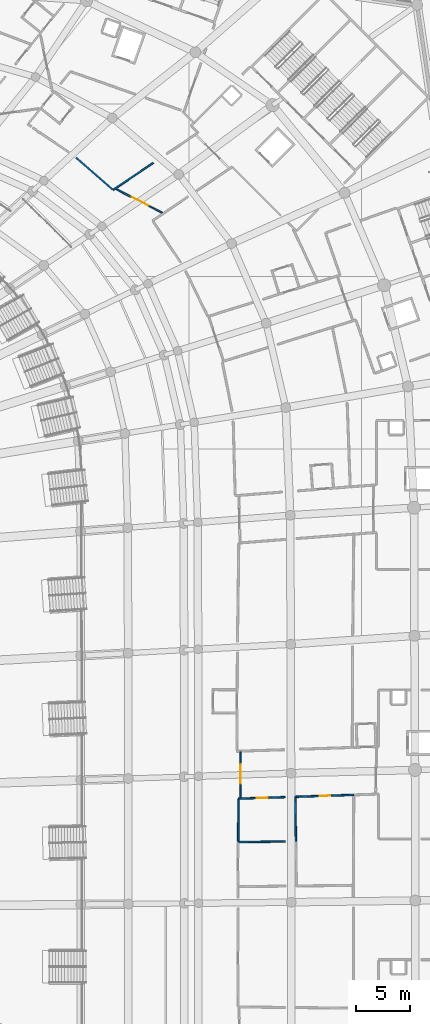
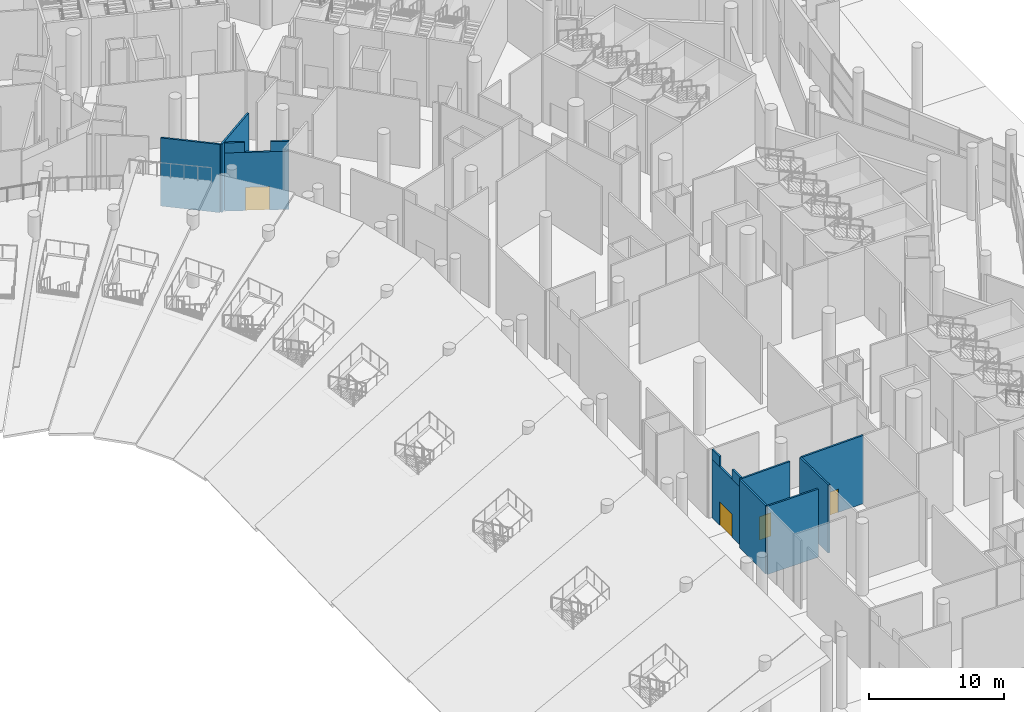
# One storey, part 144 of 255: 13 walls, 4 doors, 4 openings.
"""IFC4 building model written with IfcOpenShell, lengths in metres."""

import ifcopenshell
import ifcopenshell.guid

model = None  # the IFC model being written
_history = None  # IfcOwnerHistory: only IFC2X3 demands one
_inside = {}  # id of a spatial element -> (the spatial element, [elements in it])
_under = {}  # id of a project, library or spatial element -> (it, [spatial elements below it])
_declared = {}  # id of a project -> (the project, [libraries it declares])
_typed = {}  # id of a type object -> (the type object, [elements of that type])
_made_of = {}  # id of a material, layer set ... -> (it, [elements and type objects made of it])


def new_model(schema):
    """Start an empty IFC model of exactly this schema.

    Asked for "IFC4X3", IfcOpenShell would pick the latest addendum, in which some entities
    have other attributes; the version numbers below select the first issue.
    IFC2X3 requires an IfcOwnerHistory on every rooted entity: one is made here for all.
    """
    global model, _history
    if schema == "IFC4X3":
        model = ifcopenshell.file(schema_version=(4, 3, 0, 0))
    else:
        model = ifcopenshell.file(schema=schema)
    _inside.clear()
    _under.clear()
    _declared.clear()
    _typed.clear()
    _made_of.clear()
    _history = None
    if model.schema == "IFC2X3":
        org = make("IfcOrganization", Name="unknown")
        user = make(
            "IfcPersonAndOrganization",
            ThePerson=make("IfcPerson", FamilyName="unknown"),
            TheOrganization=org,
        )
        app = make(
            "IfcApplication",
            ApplicationDeveloper=org,
            Version="unknown",
            ApplicationFullName="unknown",
            ApplicationIdentifier="unknown",
        )
        _history = make(
            "IfcOwnerHistory",
            OwningUser=user,
            OwningApplication=app,
            ChangeAction="ADDED",
            CreationDate=0,
        )
    return model


def make(cls, **values):
    """One entity of the class cls with the attributes given. An attribute that is None is left unset."""
    return model.create_entity(
        cls, **{name: value for name, value in values.items() if value is not None}
    )


def rooted(cls, **values):
    """An entity with a GlobalId (a new one), such as an element, a storey or a relation."""
    return make(cls, GlobalId=ifcopenshell.guid.new(), OwnerHistory=_history, **values)


def si_unit(unit_type, name, prefix=None):
    """IfcSIUnit, for example si_unit("LENGTHUNIT", "METRE", prefix="MILLI")."""
    return make("IfcSIUnit", UnitType=unit_type, Prefix=prefix, Name=name)


def assignment(units):
    """IfcUnitAssignment: the units of a project."""
    return None if units is None else make("IfcUnitAssignment", Units=units)


def point(xyz):
    """IfcCartesianPoint."""
    return None if xyz is None else make("IfcCartesianPoint", Coordinates=xyz)


def direction(xyz):
    """IfcDirection."""
    return None if xyz is None else make("IfcDirection", DirectionRatios=xyz)


def frame(location, z_axis=None, x_axis=None):
    """IfcAxis2Placement3D, a coordinate frame: its origin and axes. An axis left out is left unset."""
    return make(
        "IfcAxis2Placement3D",
        Location=point(location),
        Axis=direction(z_axis),
        RefDirection=direction(x_axis),
    )


def frame_2d(location, x_axis=None):
    """IfcAxis2Placement2D, a coordinate frame in the plane: its origin and x axis."""
    return make(
        "IfcAxis2Placement2D", Location=point(location), RefDirection=direction(x_axis)
    )


def origin():
    """The frame at (0, 0, 0) with its axes left unset."""
    return frame((0.0, 0.0, 0.0))


def place(relative_to, where):
    """IfcLocalPlacement: puts the frame where relative to a parent placement (None: the world)."""
    return make(
        "IfcLocalPlacement", PlacementRelTo=relative_to, RelativePlacement=where
    )


def context(
    kind, dimensions, precision=None, world=None, true_north=None, identifier=None
):
    """IfcGeometricRepresentationContext, for example the 3D "Model" context."""
    return make(
        "IfcGeometricRepresentationContext",
        ContextIdentifier=identifier,
        ContextType=kind,
        CoordinateSpaceDimension=dimensions,
        Precision=precision,
        WorldCoordinateSystem=world,
        TrueNorth=true_north,
    )


def subcontext(parent, identifier, kind, view, scale=None):
    """IfcGeometricRepresentationSubContext, for example "Body" below "Model"."""
    return make(
        "IfcGeometricRepresentationSubContext",
        ContextIdentifier=identifier,
        ContextType=kind,
        ParentContext=parent,
        TargetScale=scale,
        TargetView=view,
    )


def project(units=None, contexts=None):
    """IfcProject with its units and contexts."""
    return rooted(
        "IfcProject",
        Name="project",
        RepresentationContexts=contexts,
        UnitsInContext=assignment(units),
    )


def spatial(cls, under=None, at=None, **own):
    """A site, building, storey or space (cls), placed at a placement, below another one or the project."""
    s = rooted(cls, ObjectPlacement=at, **own)
    if under is not None:
        _under.setdefault(under.id(), (under, []))[1].append(s)
    return s


def profile(cls, at=None, kind="AREA", **sizes):
    """A parametric profile (cls). Its sizes go by their IFC names, for example OverallWidth=200.0."""
    return make(cls, ProfileType=kind, Position=at, **sizes)


def rectangle(**sizes):
    """IfcRectangleProfileDef."""
    return profile("IfcRectangleProfileDef", **sizes)


def extrude(swept, where, along, depth):
    """IfcExtrudedAreaSolid: the profile swept, set in the frame where, extruded along a direction by depth."""
    return make(
        "IfcExtrudedAreaSolid",
        SweptArea=swept,
        Position=where,
        ExtrudedDirection=direction(along),
        Depth=depth,
    )


def shape(context_of_items, identifier, shape_type, items):
    """IfcShapeRepresentation: the items that make up one representation, for example the "Body"."""
    return make(
        "IfcShapeRepresentation",
        ContextOfItems=context_of_items,
        RepresentationIdentifier=identifier,
        RepresentationType=shape_type,
        Items=items,
    )


def material(Name=None, Category=None):
    """IfcMaterial."""
    return make("IfcMaterial", Name=Name, Category=Category)


def layer(
    of_material, thickness, ventilated=None, Name=None, Category=None, Priority=None
):
    """IfcMaterialLayer: one layer of a wall or slab, of a material (None: an air gap)."""
    return make(
        "IfcMaterialLayer",
        Material=of_material,
        LayerThickness=thickness,
        IsVentilated=ventilated,
        Name=Name,
        Category=Category,
        Priority=Priority,
    )


def layer_set(layers, Name=None):
    """IfcMaterialLayerSet."""
    return make("IfcMaterialLayerSet", MaterialLayers=layers, LayerSetName=Name)


def made_of(thing, what):
    """Note that an element or type object is made of a material, layer set ...; save() writes the relation."""
    if what is not None:
        _made_of.setdefault(what.id(), (what, []))[1].append(thing)
    return thing


def type_object(cls, material=None, **own):
    """A type object (cls), such as IfcWallType, which elements share."""
    return made_of(rooted(cls, **own), material)


def element(
    cls,
    number,
    at=None,
    inside=None,
    cuts=None,
    type_object=None,
    material=None,
    context=None,
    identifier="Body",
    shape_type=None,
    held_by="IfcProductDefinitionShape",
    body=None,
    shapes=None,
    **own,
):
    """One element of the class cls, such as IfcWall. Its Tag is "e" and its number.

    at: its placement. inside: the storey or other place that contains it. cuts: it is an
    opening in that element (IfcRelVoidsElement). A single representation is given by context,
    identifier, shape_type and body (its items); several are given by shapes. held_by: the class
    of the entity that holds the representations. save() writes the other relations.
    """
    e = rooted(cls, Tag="e%d" % number, ObjectPlacement=at, **own)
    if body is not None:
        shapes = [shape(context, identifier, shape_type, body)]
    if shapes is not None:
        e.Representation = make(held_by, Representations=shapes)
    if inside is not None:
        _inside.setdefault(inside.id(), (inside, []))[1].append(e)
    if cuts is not None:
        rooted(
            "IfcRelVoidsElement", RelatingBuildingElement=cuts, RelatedOpeningElement=e
        )
    if type_object is not None:
        _typed.setdefault(type_object.id(), (type_object, []))[1].append(e)
    return made_of(e, material)


def fill(opening, filler):
    """IfcRelFillsElement: the door or window that sits in an opening."""
    return rooted(
        "IfcRelFillsElement",
        RelatingOpeningElement=opening,
        RelatedBuildingElement=filler,
    )


def aggregate(whole, parts):
    """IfcRelAggregates: a whole, such as a stair, and the parts it consists of."""
    return rooted("IfcRelAggregates", RelatingObject=whole, RelatedObjects=parts)


def save(model, path):
    """Write the relations noted so far, then the file.

    IfcRelAggregates (storeys below a building ...), IfcRelContainedInSpatialStructure (elements
    in a storey), IfcRelDefinesByType, IfcRelAssociatesMaterial and IfcRelDeclares: one each for
    every whole, place, type object, material and project.
    """
    for whole, parts in _under.values():
        aggregate(whole, parts)
    for where, things in _inside.values():
        rooted(
            "IfcRelContainedInSpatialStructure",
            RelatedElements=things,
            RelatingStructure=where,
        )
    for kind, things in _typed.values():
        rooted("IfcRelDefinesByType", RelatedObjects=things, RelatingType=kind)
    for what, things in _made_of.values():
        rooted("IfcRelAssociatesMaterial", RelatedObjects=things, RelatingMaterial=what)
    for by, libraries in _declared.values():
        rooted("IfcRelDeclares", RelatingContext=by, RelatedDefinitions=libraries)
    model.write(path)


model = new_model("IFC4")

# Units and contexts
model_context = context("Model", 3, precision=1e-05, world=origin(), true_north=direction((0.0, 1.0)))
body_context = subcontext(model_context, "Body", "Model", "MODEL_VIEW")
ifc_project = project(units=[si_unit("LENGTHUNIT", "METRE"), si_unit("AREAUNIT", "SQUARE_METRE"), si_unit("VOLUMEUNIT", "CUBIC_METRE"), si_unit("PLANEANGLEUNIT", "RADIAN"), si_unit("MASSUNIT", "GRAM", prefix="KILO")], contexts=[model_context])

# Site, building, storey
site_placement = place(None, origin())
site = spatial("IfcSite", under=ifc_project, at=site_placement, CompositionType="ELEMENT")
building_placement = place(site_placement, origin())
building = spatial("IfcBuilding", under=site, at=building_placement, Name="Meseta Stadium", CompositionType="ELEMENT")
storey_placement = place(building_placement, origin())
storey = spatial("IfcBuildingStorey", under=building, at=storey_placement, Name="L00", CompositionType="ELEMENT", Elevation=0.0)

# Wall, opening, door
ifc_material_1 = material(Name="Masonry blockwork", Category="masonry")
ifc_layer = layer(ifc_material_1, 0.14990234375)
ifc_layer_set = layer_set([ifc_layer], Name="Partition 150")
wall_type = type_object("IfcWallType", Name="Partition 150", PredefinedType="PARTITIONING", material=ifc_layer_set)
wall_1_placement = place(storey_placement, frame((68.607421875, 15.581787109375, 0.0), z_axis=(0.0, 0.0, 1.0), x_axis=(0.999457132161, 0.032946031214, 0.0)))
wall_1 = element("IfcWall", 1, at=wall_1_placement, inside=storey, type_object=wall_type, Name="Partition L00 L00-cell02-1-0a", PredefinedType="PARTITIONING", context=body_context, shape_type="SweptSolid", body=[
    extrude(rectangle(XDim=4.3203125, YDim=0.14990234375, at=frame_2d((2.16015625, 0.0))), origin(), (0.0, 0.0, 1.0), 6.14990234375),
])
opening_1_placement = place(wall_1_placement, frame((1.699951171875, 0.0, 0.0)))
opening_1 = element("IfcOpeningElement", 2, at=opening_1_placement, cuts=wall_1, Name="Opening D540", PredefinedType="OPENING", context=body_context, shape_type="SweptSolid", body=[
    extrude(rectangle(XDim=1.0, YDim=2.10009765625, at=frame_2d((0.5, 1.050048828125))), frame((0.0, 0.0849609375, 0.0), z_axis=(0.0, -1.0, 0.0), x_axis=(1.0, 0.0, 0.0)), (0.0, 0.0, 1.0), 0.169921875),
])
ifc_material_2 = material(Name="Timber", Category="wood")
door_type_1 = type_object("IfcDoorType", Name="Room door 1000x2100", OperationType="NOTDEFINED", PredefinedType="DOOR", material=ifc_material_2)
door_1_placement = place(opening_1_placement, origin())
door_1 = element("IfcDoor", 3, at=door_1_placement, inside=storey, type_object=door_type_1, Name="Door D540", OperationType="SINGLE_SWING_RIGHT", OverallHeight=2.10009765625, OverallWidth=1.0, PredefinedType="DOOR", context=body_context, shape_type="SweptSolid", body=[
    extrude(rectangle(XDim=1.0, YDim=2.10009765625, at=frame_2d((0.5, 1.050048828125))), frame((0.0, 0.02490234375, 0.0), z_axis=(0.0, -1.0, 0.0), x_axis=(1.0, 0.0, 0.0)), (0.0, 0.0, 1.0), 0.050048828125),
])
fill(opening_1, door_1)

# Walls
wall_2_placement = place(storey_placement, frame((73.885009765625, 15.755615234375, 0.0), z_axis=(0.0, 0.0, 1.0), x_axis=(0.010979915445, -0.999939718912, 0.0)))
element("IfcWall", 4, at=wall_2_placement, inside=storey, type_object=wall_type, Name="Partition L00 L00-cell02-1-0a", PredefinedType="PARTITIONING", context=body_context, shape_type="SweptSolid", body=[
    extrude(rectangle(XDim=4.1357421875, YDim=0.14990234375, at=frame_2d((2.06787109375, 0.0))), origin(), (0.0, 0.0, 1.0), 6.14990234375),
])
wall_3_placement = place(storey_placement, frame((72.9580078125, 11.609375, 0.0), z_axis=(0.0, 0.0, 1.0), x_axis=(-0.999939585857, -0.010992026026, 0.0)))
element("IfcWall", 5, at=wall_3_placement, inside=storey, type_object=wall_type, Name="Partition L00 L00-cell02-1-0a", PredefinedType="PARTITIONING", context=body_context, shape_type="SweptSolid", body=[
    extrude(rectangle(XDim=4.37548828125, YDim=0.14990234375, at=frame_2d((2.187744140625, 0.0))), origin(), (0.0, 0.0, 1.0), 6.14990234375),
])
wall_4_placement = place(storey_placement, frame((68.583251953125, 11.636474609375, 0.0), z_axis=(0.0, 0.0, 1.0), x_axis=(0.006118601165, 0.999981281185, 0.0)))
element("IfcWall", 6, at=wall_4_placement, inside=storey, type_object=wall_type, Name="Partition L00 L00-cell02-1-0a", PredefinedType="PARTITIONING", context=body_context, shape_type="SweptSolid", body=[
    extrude(rectangle(XDim=3.870361328125, YDim=0.14990234375, at=frame_2d((1.93505859375, 0.0))), origin(), (0.0, 0.0, 1.0), 6.14990234375),
])

# Wall, opening, door
wall_5_placement = place(storey_placement, frame((73.934814453125, 15.757080078125, 0.0), z_axis=(0.0, 0.0, 1.0), x_axis=(0.999459593549, 0.032871277175, 0.0)))
wall_5 = element("IfcWall", 7, at=wall_5_placement, inside=storey, type_object=wall_type, Name="Partition L00 L00-cell02-1-0b2", PredefinedType="PARTITIONING", context=body_context, shape_type="SweptSolid", body=[
    extrude(rectangle(XDim=5.369873046875, YDim=0.14990234375, at=frame_2d((2.68505859375, 0.0))), origin(), (0.0, 0.0, 1.0), 6.14990234375),
])
opening_2_placement = place(wall_5_placement, frame((2.199951171875, 0.0, 0.0)))
opening_2 = element("IfcOpeningElement", 8, at=opening_2_placement, cuts=wall_5, Name="Opening D542", PredefinedType="OPENING", context=body_context, shape_type="SweptSolid", body=[
    extrude(rectangle(XDim=1.0, YDim=2.10009765625, at=frame_2d((0.5, 1.050048828125))), frame((0.0, 0.0849609375, 0.0), z_axis=(0.0, -1.0, 0.0), x_axis=(1.0, 0.0, 0.0)), (0.0, 0.0, 1.0), 0.169921875),
])
door_2_placement = place(opening_2_placement, origin())
door_2 = element("IfcDoor", 9, at=door_2_placement, inside=storey, type_object=door_type_1, Name="Door D542", OperationType="SINGLE_SWING_LEFT", OverallHeight=2.10009765625, OverallWidth=1.0, PredefinedType="DOOR", context=body_context, shape_type="SweptSolid", body=[
    extrude(rectangle(XDim=1.0, YDim=2.10009765625, at=frame_2d((0.5, 1.050048828125))), frame((0.0, 0.02490234375, 0.0), z_axis=(0.0, -1.0, 0.0), x_axis=(1.0, 0.0, 0.0)), (0.0, 0.0, 1.0), 0.050048828125),
])
fill(opening_2, door_2)

# Walls
wall_6_placement = place(storey_placement, frame((60.716796875, 74.536865234375, 0.0), z_axis=(0.0, 0.0, 1.0), x_axis=(-0.828836712626, -0.559490575259, 0.0)))
element("IfcWall", 10, at=wall_6_placement, inside=storey, type_object=wall_type, Name="Partition L00 L00-cell06-1-0", PredefinedType="PARTITIONING", context=body_context, shape_type="SweptSolid", body=[
    extrude(rectangle(XDim=4.495849609375, YDim=0.14990234375, at=frame_2d((2.248046875, 0.0))), origin(), (0.0, 0.0, 1.0), 6.14990234375),
])
wall_7_placement = place(storey_placement, frame((56.93212890625, 72.072509765625, 0.0), z_axis=(0.0, 0.0, 1.0), x_axis=(-0.753910661327, 0.656976951451, 0.0)))
element("IfcWall", 11, at=wall_7_placement, inside=storey, type_object=wall_type, Name="Partition L00 L00-cell06-1-0", PredefinedType="PARTITIONING", context=body_context, shape_type="SweptSolid", body=[
    extrude(rectangle(XDim=4.47314453125, YDim=0.14990234375, at=frame_2d((2.236572265625, 0.0))), origin(), (0.0, 0.0, 1.0), 6.14990234375),
])

# Wall, opening, door
wall_8_placement = place(storey_placement, frame((68.8017578125, 15.66650390625, 0.0), z_axis=(0.0, 0.0, 1.0), x_axis=(-0.00224266256, 0.999997485229, 0.0)))
wall_8 = element("IfcWall", 12, at=wall_8_placement, inside=storey, type_object=wall_type, Name="Escape corridor discharge wall L00 core 04", PredefinedType="PARTITIONING", context=body_context, shape_type="SweptSolid", body=[
    extrude(rectangle(XDim=4.24560546875, YDim=0.14990234375, at=frame_2d((2.122802734375, 0.0))), origin(), (0.0, 0.0, 1.0), 5.25),
])
opening_3_placement = place(wall_8_placement, frame((1.29541015625, 0.0, 0.0)))
opening_3 = element("IfcOpeningElement", 13, at=opening_3_placement, cuts=wall_8, Name="Opening D380", PredefinedType="OPENING", context=body_context, shape_type="SweptSolid", body=[
    extrude(rectangle(XDim=1.800048828125, YDim=2.10009765625, at=frame_2d((0.89990234375, 1.050048828125))), frame((0.0, 0.0849609375, 0.0), z_axis=(0.0, -1.0, 0.0), x_axis=(1.0, 0.0, 0.0)), (0.0, 0.0, 1.0), 0.169921875),
])
ifc_material_3 = material(Name="Steel", Category="steel")
door_type_2 = type_object("IfcDoorType", Name="Fire double door 1800x2100 EI2 60", OperationType="DOUBLE_DOOR_SINGLE_SWING", PredefinedType="DOOR", material=ifc_material_3)
door_3_placement = place(opening_3_placement, origin())
door_3 = element("IfcDoor", 14, at=door_3_placement, inside=storey, type_object=door_type_2, Name="Stair discharge door SD04-1", OperationType="DOUBLE_DOOR_SINGLE_SWING", OverallHeight=2.10009765625, OverallWidth=1.800048828125, PredefinedType="DOOR", context=body_context, shape_type="SweptSolid", body=[
    extrude(rectangle(XDim=1.800048828125, YDim=2.10009765625, at=frame_2d((0.89990234375, 1.050048828125))), frame((0.0, 0.02490234375, 0.0), z_axis=(0.0, -1.0, 0.0), x_axis=(1.0, 0.0, 0.0)), (0.0, 0.0, 1.0), 0.050048828125),
])
fill(opening_3, door_3)

# Walls
wall_9_placement = place(storey_placement, frame((68.794677734375, 18.81201171875, 5.25), z_axis=(0.0, 0.0, 1.0), x_axis=(-0.00221925774, 0.999997537445, 0.0)))
element("IfcWall", 15, at=wall_9_placement, inside=storey, type_object=wall_type, Name="Escape corridor discharge wall L00 core 04", PredefinedType="PARTITIONING", context=body_context, shape_type="SweptSolid", body=[
    extrude(rectangle(XDim=1.10009765625, YDim=0.14990234375, at=frame_2d((0.550048828125, 0.0))), origin(), (0.0, 0.0, 1.0), 0.89990234375),
])
wall_10_placement = place(storey_placement, frame((68.8017578125, 15.66650390625, 5.25), z_axis=(0.0, 0.0, 1.0), x_axis=(-0.002352012311, 0.999997234015, 0.0)))
element("IfcWall", 16, at=wall_10_placement, inside=storey, type_object=wall_type, Name="Escape corridor discharge wall L00 core 04", PredefinedType="PARTITIONING", context=body_context, shape_type="SweptSolid", body=[
    extrude(rectangle(XDim=1.24560546875, YDim=0.14990234375, at=frame_2d((0.622802734375, 0.0))), origin(), (0.0, 0.0, 1.0), 0.89990234375),
])

# Wall, opening, door
wall_11_placement = place(storey_placement, frame((61.531982421875, 69.91357421875, 0.0), z_axis=(0.0, 0.0, 1.0), x_axis=(-0.8895805215, 0.456778388027, 0.0)))
wall_11 = element("IfcWall", 17, at=wall_11_placement, inside=storey, type_object=wall_type, Name="Escape corridor discharge wall L00 core 07", PredefinedType="PARTITIONING", context=body_context, shape_type="SweptSolid", body=[
    extrude(rectangle(XDim=4.765380859375, YDim=0.14990234375, at=frame_2d((2.3828125, 0.0))), origin(), (0.0, 0.0, 1.0), 5.25),
])
opening_4_placement = place(wall_11_placement, frame((1.415283203125, 0.0, 0.0)))
opening_4 = element("IfcOpeningElement", 18, at=opening_4_placement, cuts=wall_11, Name="Opening D383", PredefinedType="OPENING", context=body_context, shape_type="SweptSolid", body=[
    extrude(rectangle(XDim=1.800048828125, YDim=2.10009765625, at=frame_2d((0.89990234375, 1.050048828125))), frame((0.0, 0.0849609375, 0.0), z_axis=(0.0, -1.0, 0.0), x_axis=(1.0, 0.0, 0.0)), (0.0, 0.0, 1.0), 0.169921875),
])
door_4_placement = place(opening_4_placement, origin())
door_4 = element("IfcDoor", 19, at=door_4_placement, inside=storey, type_object=door_type_2, Name="Stair discharge door SD07-1", OperationType="DOUBLE_DOOR_SINGLE_SWING", OverallHeight=2.10009765625, OverallWidth=1.800048828125, PredefinedType="DOOR", context=body_context, shape_type="SweptSolid", body=[
    extrude(rectangle(XDim=1.800048828125, YDim=2.10009765625, at=frame_2d((0.89990234375, 1.050048828125))), frame((0.0, 0.02490234375, 0.0), z_axis=(0.0, -1.0, 0.0), x_axis=(1.0, 0.0, 0.0)), (0.0, 0.0, 1.0), 0.050048828125),
])
fill(opening_4, door_4)

# Walls
wall_12_placement = place(storey_placement, frame((58.627197265625, 71.405029296875, 5.25), z_axis=(0.0, 0.0, 1.0), x_axis=(-0.88955808117, 0.456822088153, 0.0)))
element("IfcWall", 20, at=wall_12_placement, inside=storey, type_object=wall_type, Name="Escape corridor discharge wall L00 core 07", PredefinedType="PARTITIONING", context=body_context, shape_type="SweptSolid", body=[
    extrude(rectangle(XDim=1.500244140625, YDim=0.14990234375, at=frame_2d((0.75, 0.0))), origin(), (0.0, 0.0, 1.0), 0.89990234375),
])
wall_13_placement = place(storey_placement, frame((61.531982421875, 69.91357421875, 5.25), z_axis=(0.0, 0.0, 1.0), x_axis=(-0.889547379944, 0.45684292578, 0.0)))
element("IfcWall", 21, at=wall_13_placement, inside=storey, type_object=wall_type, Name="Escape corridor discharge wall L00 core 07", PredefinedType="PARTITIONING", context=body_context, shape_type="SweptSolid", body=[
    extrude(rectangle(XDim=1.365478515625, YDim=0.14990234375, at=frame_2d((0.6826171875, 0.0))), origin(), (0.0, 0.0, 1.0), 0.89990234375),
])

save(model, "model.ifc")
